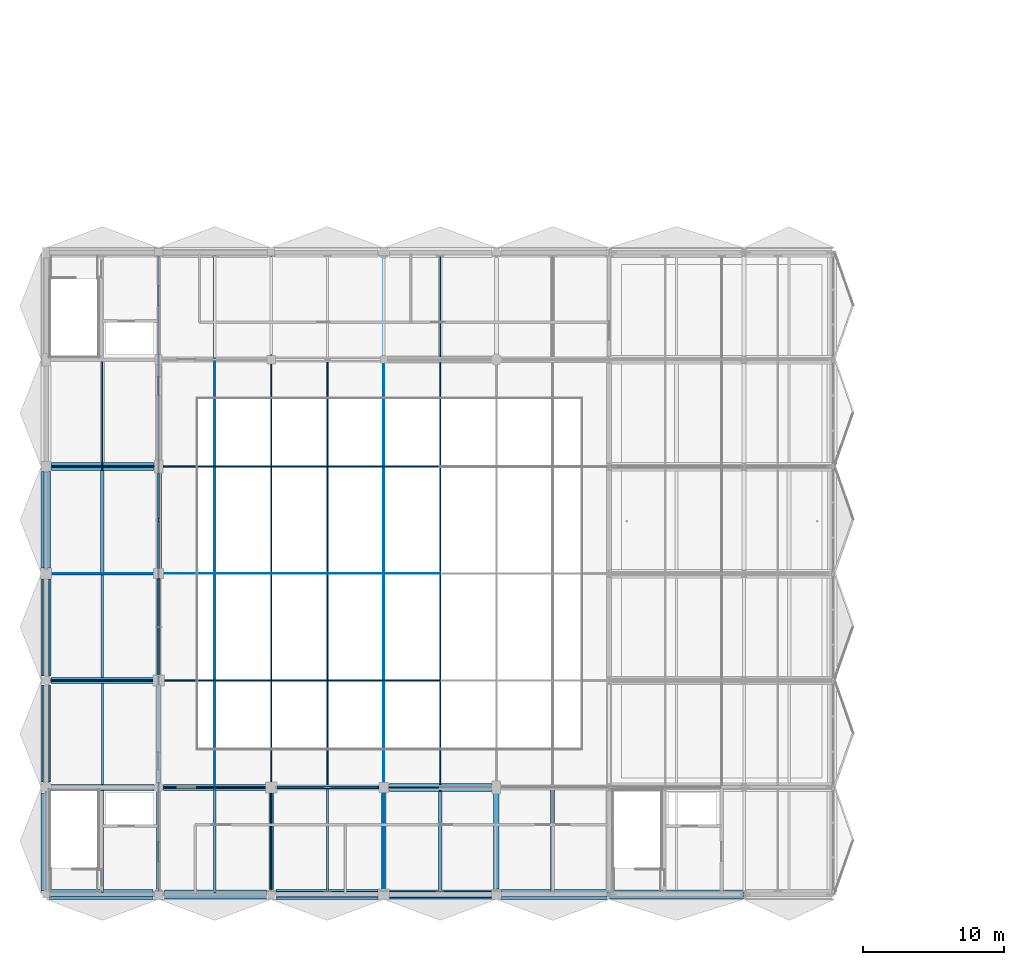
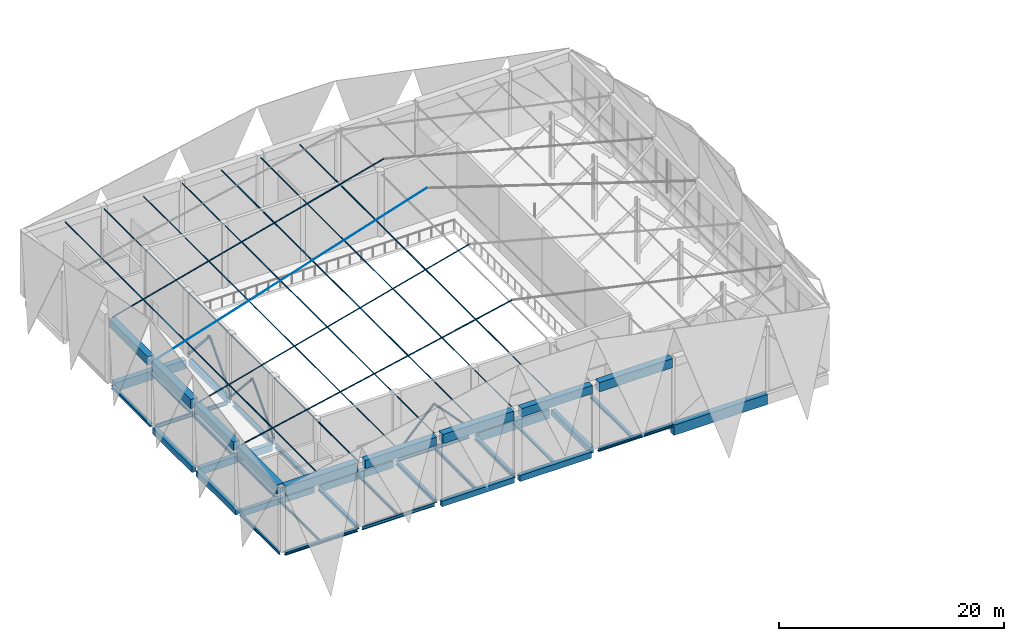
# One storey, part 5 of 46: 41 beams, 17 members.
"""IFC4 building model written with IfcOpenShell, lengths in metres."""

from ifc_helpers import new_model, si_unit, direction, frame, origin, origin_2d, place, context, subcontext, project, spatial, rectangle, hollow_rectangle, circle, hollow_circle, i_section, extrude, material, material_profile, profile_set, type_object, element, save


model = new_model("IFC4")

# Units and contexts
model_context = context("Model", 3, precision=1e-05, world=origin(), true_north=direction((0.0, 1.0)))
body_context = subcontext(model_context, "Body", "Model", "MODEL_VIEW")
ifc_project = project(units=[si_unit("LENGTHUNIT", "METRE"), si_unit("AREAUNIT", "SQUARE_METRE"), si_unit("VOLUMEUNIT", "CUBIC_METRE"), si_unit("PLANEANGLEUNIT", "RADIAN"), si_unit("MASSUNIT", "GRAM", prefix="KILO")], contexts=[model_context])

# Site, building, storey
site_placement = place(None, origin())
site = spatial("IfcSite", under=ifc_project, at=site_placement, CompositionType="ELEMENT")
building_placement = place(site_placement, origin())
building = spatial("IfcBuilding", under=site, at=building_placement, Name="Khelvaren Railside Concert Hall", CompositionType="ELEMENT")
storey_placement = place(building_placement, frame((0.0, 0.0, 19.800048828125)))
storey = spatial("IfcBuildingStorey", under=building, at=storey_placement, Name="L04", CompositionType="ELEMENT", Elevation=19.800048828125)

# Beams
ifc_material_1 = material(Name="Steel S355", Category="steel")
ifc_material_profile_1 = material_profile(ifc_material_1, i_section(OverallWidth=0.300048828125, OverallDepth=0.389892578125, WebThickness=0.010986328125, FlangeThickness=0.01904296875, FilletRadius=0.027099609375, at=origin_2d()), Name="HEA 400")
ifc_profile_set_1 = profile_set([ifc_material_profile_1], Name="Steel S355")
beam_type_1 = type_object("IfcBeamType", Name="BM23", PredefinedType="BEAM", material=ifc_profile_set_1)
for number, where, z_axis, x_axis, name in (
    (1, (8.0, 7.93603515625, -0.465087890625), (0.0, 1.0, 0.0), (-1.0, 0.0, 0.0), "V1 L04 Beam Y2.2"),
    (2, (16.0, 0.3359375, -0.465087890625), (0.0, 1.0, 0.0), (-1.0, 0.0, 0.0), "V1 L04 Beam Y3.1"),
):
    element("IfcBeam", number, at=place(storey_placement, frame(where, z_axis=z_axis, x_axis=x_axis)), inside=storey, type_object=beam_type_1, Name=name, PredefinedType="BEAM", context=body_context, shape_type="SweptSolid", body=[
        extrude(i_section(OverallWidth=0.300048828125, OverallDepth=0.389892578125, WebThickness=0.010986328125, FlangeThickness=0.01904296875, FilletRadius=0.027099609375, at=origin_2d()), origin(), (0.0, 0.0, 1.0), 6.990966796875),
    ])
ifc_material_profile_2 = material_profile(ifc_material_1, i_section(OverallWidth=0.179931640625, OverallDepth=0.39990234375, WebThickness=0.008544921875, FlangeThickness=0.013427734375, FilletRadius=0.02099609375, at=origin_2d()), Name="IPE 400")
ifc_profile_set_2 = profile_set([ifc_material_profile_2], Name="Steel S355")
beam_type_2 = type_object("IfcBeamType", Name="BM29", PredefinedType="BEAM", material=ifc_profile_set_2)
for number, where, z_axis, x_axis, name in (
    (3, (16.27294921875, 7.60009765625, -0.469970703125), (1.0, 0.0, 0.0), (0.0, 1.0, 0.0), "V1 L04 Beam X2.3"),
    (4, (0.27294921875, 22.800048828125, -0.469970703125), (1.0, 0.0, 0.0), (0.0, 1.0, 0.0), "V1 L04 Beam X4.1"),
):
    element("IfcBeam", number, at=place(storey_placement, frame(where, z_axis=z_axis, x_axis=x_axis)), inside=storey, type_object=beam_type_2, Name=name, PredefinedType="BEAM", context=body_context, shape_type="SweptSolid", body=[
        extrude(i_section(OverallWidth=0.179931640625, OverallDepth=0.39990234375, WebThickness=0.008544921875, FlangeThickness=0.013427734375, FilletRadius=0.02099609375, at=origin_2d()), origin(), (0.0, 0.0, 1.0), 7.3271484375),
    ])
ifc_material_2 = material(Name="Concrete C40/50", Category="concrete")
ifc_material_profile_3 = material_profile(ifc_material_2, rectangle(XDim=0.39990234375, YDim=0.64990234375, at=origin_2d()), Name="RCB 400x650")
ifc_profile_set_3 = profile_set([ifc_material_profile_3], Name="Concrete C40/50")
beam_type_3 = type_object("IfcBeamType", Name="BM33", PredefinedType="BEAM", material=ifc_profile_set_3)
beam_1_placement = place(storey_placement, frame((0.25, 7.60009765625, -0.594970703125), z_axis=(1.0, 0.0, 0.0), x_axis=(0.0, 1.0, 0.0)))
element("IfcBeam", 5, at=beam_1_placement, inside=storey, type_object=beam_type_3, Name="V1 L04 Beam X2.1", PredefinedType="BEAM", context=body_context, shape_type="SweptSolid", body=[
    extrude(rectangle(XDim=0.39990234375, YDim=0.64990234375, at=origin_2d()), origin(), (0.0, 0.0, 1.0), 7.4140625),
])
for number, where, z_axis, x_axis, name in (
    (6, (8.0, 23.199951171875, -0.594970703125), (0.0, 1.0, 0.0), (-1.0, 0.0, 0.0), "V1 L04 Beam Y2.4"),
    (7, (32.0, 0.39990234375, -0.594970703125), (0.0, 1.0, 0.0), (-1.0, 0.0, 0.0), "V1 L04 Beam Y5.1"),
):
    element("IfcBeam", number, at=place(storey_placement, frame(where, z_axis=z_axis, x_axis=x_axis)), inside=storey, type_object=beam_type_3, Name=name, PredefinedType="BEAM", context=body_context, shape_type="SweptSolid", body=[
        extrude(rectangle(XDim=0.39990234375, YDim=0.64990234375, at=origin_2d()), origin(), (0.0, 0.0, 1.0), 6.85009765625),
    ])
ifc_material_profile_4 = material_profile(ifc_material_1, i_section(OverallWidth=0.300048828125, OverallDepth=0.35009765625, WebThickness=0.010009765625, FlangeThickness=0.017578125, FilletRadius=0.027099609375, at=origin_2d()), Name="HEA 360")
ifc_profile_set_4 = profile_set([ifc_material_profile_4], Name="Steel S355")
beam_type_4 = type_object("IfcBeamType", Name="BM73", PredefinedType="BEAM", material=ifc_profile_set_4)
beam_2_placement = place(storey_placement, frame((8.0, 0.25, -0.445068359375), z_axis=(0.0, 1.0, 0.0), x_axis=(-1.0, 0.0, 0.0)))
element("IfcBeam", 8, at=beam_2_placement, inside=storey, type_object=beam_type_4, Name="V1 L04 Beam Y2.1", PredefinedType="BEAM", context=body_context, shape_type="SweptSolid", body=[
    extrude(i_section(OverallWidth=0.300048828125, OverallDepth=0.35009765625, WebThickness=0.010009765625, FlangeThickness=0.017578125, FilletRadius=0.027099609375, at=origin_2d()), origin(), (0.0, 0.0, 1.0), 7.013916015625),
])
ifc_material_profile_5 = material_profile(ifc_material_2, rectangle(XDim=0.449951171875, YDim=0.75, at=origin_2d()), Name="RCB 450x750")
ifc_profile_set_5 = profile_set([ifc_material_profile_5], Name="Concrete C40/50")
beam_type_5 = type_object("IfcBeamType", Name="BM83", PredefinedType="BEAM", material=ifc_profile_set_5)
for number, where, z_axis, x_axis, name in (
    (9, (8.3359375, 7.60009765625, -0.64501953125), (1.0, 0.0, 0.0), (0.0, 1.0, 0.0), "V1 L04 Beam X2.2"),
    (10, (0.3359375, 15.199951171875, -0.64501953125), (1.0, 0.0, 0.0), (0.0, 1.0, 0.0), "V1 L04 Beam X3.1"),
):
    element("IfcBeam", number, at=place(storey_placement, frame(where, z_axis=z_axis, x_axis=x_axis)), inside=storey, type_object=beam_type_5, Name=name, PredefinedType="BEAM", context=body_context, shape_type="SweptSolid", body=[
        extrude(rectangle(XDim=0.449951171875, YDim=0.75, at=origin_2d()), origin(), (0.0, 0.0, 1.0), 7.39111328125),
    ])
ifc_material_profile_6 = material_profile(ifc_material_1, i_section(OverallWidth=0.300048828125, OverallDepth=0.43994140625, WebThickness=0.011474609375, FlangeThickness=0.02099609375, FilletRadius=0.027099609375, at=origin_2d()), Name="HEA 450")
ifc_profile_set_6 = profile_set([ifc_material_profile_6], Name="Steel S355")
beam_type_6 = type_object("IfcBeamType", Name="BM89", PredefinedType="BEAM", material=ifc_profile_set_6)
for number, where, z_axis, x_axis, name in (
    (11, (8.0, 15.472900390625, -0.489990234375), (0.0, 1.0, 0.0), (-1.0, 0.0, 0.0), "V1 L04 Beam Y2.3"),
    (12, (24.0, 0.27294921875, -0.489990234375), (0.0, 1.0, 0.0), (-1.0, 0.0, 0.0), "V1 L04 Beam Y4.1"),
):
    element("IfcBeam", number, at=place(storey_placement, frame(where, z_axis=z_axis, x_axis=x_axis)), inside=storey, type_object=beam_type_6, Name=name, PredefinedType="BEAM", context=body_context, shape_type="SweptSolid", body=[
        extrude(i_section(OverallWidth=0.300048828125, OverallDepth=0.43994140625, WebThickness=0.011474609375, FlangeThickness=0.02099609375, FilletRadius=0.027099609375, at=origin_2d()), origin(), (0.0, 0.0, 1.0), 6.927001953125),
    ])

# Members
ifc_material_profile_7 = material_profile(ifc_material_1, hollow_circle(Radius=0.109619140625, WallThickness=0.012451171875, at=origin_2d()), Name="CHS 219.1x12.5")
ifc_profile_set_7 = profile_set([ifc_material_profile_7], Name="Steel S355")
member_type_1 = type_object("IfcMemberType", Name="BR37", PredefinedType="BRACE", material=ifc_profile_set_7)
for number, where, z_axis, x_axis, name in (
    (13, (8.0, 15.199951171875, 0.050048828125), (0.0, 0.667416311348, 0.74468481074), (-1.0, 0.0, 0.0), "V1 L04 Seismic Chevron Brace 9"),
    (14, (8.0, 22.800048828125, 0.050048828125), (0.0, -0.667416311348, 0.74468481074), (1.0, 0.0, 0.0), "V1 L04 Seismic Chevron Brace 10"),
):
    element("IfcMember", number, at=place(storey_placement, frame(where, z_axis=z_axis, x_axis=x_axis)), inside=storey, type_object=member_type_1, Name=name, PredefinedType="BRACE", context=body_context, shape_type="SweptSolid", body=[
        extrude(hollow_circle(Radius=0.109619140625, WallThickness=0.012451171875, at=origin_2d()), origin(), (0.0, 0.0, 1.0), 5.693603515625),
    ])
for number, where, z_axis, x_axis, name in (
    (15, (16.0, 7.60009765625, 0.050048828125), (0.686221263148, 0.0, 0.727392863592), (0.0, 1.0, 0.0), "V1 L04 Seismic Chevron Brace 29"),
    (16, (24.0, 7.60009765625, 0.050048828125), (-0.686221263148, 0.0, 0.727392863592), (0.0, -1.0, 0.0), "V1 L04 Seismic Chevron Brace 30"),
):
    element("IfcMember", number, at=place(storey_placement, frame(where, z_axis=z_axis, x_axis=x_axis)), inside=storey, type_object=member_type_1, Name=name, PredefinedType="BRACE", context=body_context, shape_type="SweptSolid", body=[
        extrude(hollow_circle(Radius=0.109619140625, WallThickness=0.012451171875, at=origin_2d()), origin(), (0.0, 0.0, 1.0), 5.8291015625),
    ])
ifc_material_profile_8 = material_profile(ifc_material_1, hollow_rectangle(XDim=0.14990234375, YDim=0.25, WallThickness=0.012451171875, InnerFilletRadius=0.012451171875, OuterFilletRadius=0.01904296875, at=origin_2d()), Name="RHS 250x150x12.5")
ifc_profile_set_8 = profile_set([ifc_material_profile_8], Name="Steel S355")
member_type_2 = type_object("IfcMemberType", Name="BR52", PredefinedType="BRACE", material=ifc_profile_set_8)
for number, where, z_axis, x_axis, name in (
    (17, (8.0, 22.800048828125, 0.050048828125), (0.0, 0.667416311348, 0.74468481074), (-1.0, 0.0, 0.0), "V1 L04 Seismic Chevron Brace 19"),
    (18, (8.0, 30.39990234375, 0.050048828125), (0.0, -0.667392531376, 0.744706122617), (1.0, 0.0, 0.0), "V1 L04 Seismic Chevron Brace 20"),
):
    element("IfcMember", number, at=place(storey_placement, frame(where, z_axis=z_axis, x_axis=x_axis)), inside=storey, type_object=member_type_2, Name=name, PredefinedType="BRACE", context=body_context, shape_type="SweptSolid", body=[
        extrude(hollow_rectangle(XDim=0.14990234375, YDim=0.25, WallThickness=0.012451171875, InnerFilletRadius=0.012451171875, OuterFilletRadius=0.01904296875, at=origin_2d()), origin(), (0.0, 0.0, 1.0), 5.693603515625),
    ])

# Beams
ifc_material_profile_9 = material_profile(ifc_material_2, rectangle(XDim=0.60009765625, YDim=1.10009765625, at=origin_2d()), Name="RCB 600x1100")
ifc_profile_set_9 = profile_set([ifc_material_profile_9], Name="Concrete C40/50")
beam_type_7 = type_object("IfcBeamType", Name="GR15", PredefinedType="T_BEAM", material=ifc_profile_set_9)
beam_3_placement = place(storey_placement, frame((40.010009765625, 0.0, -0.820068359375), z_axis=(1.0, 0.0, 0.0), x_axis=(0.0, 1.0, 0.0)))
element("IfcBeam", 19, at=beam_3_placement, inside=storey, type_object=beam_type_7, Name="V1 L04 Cantilever Backspan Girder 1", PredefinedType="T_BEAM", context=body_context, shape_type="SweptSolid", body=[
    extrude(rectangle(XDim=0.60009765625, YDim=1.10009765625, at=origin_2d()), origin(), (0.0, 0.0, 1.0), 9.580078125),
])
ifc_material_profile_10 = material_profile(ifc_material_2, rectangle(XDim=0.550048828125, YDim=0.949951171875, at=origin_2d()), Name="RCB 550x950")
ifc_profile_set_10 = profile_set([ifc_material_profile_10], Name="Concrete C40/50")
beam_type_8 = type_object("IfcBeamType", Name="GR57", PredefinedType="T_BEAM", material=ifc_profile_set_10)
for number, where, z_axis, x_axis, name in (
    (20, (24.39990234375, 7.60009765625, -0.7451171875), (1.0, 0.0, 0.0), (0.0, 1.0, 0.0), "V1 L04 T_Beam X2.4"),
    (21, (0.39990234375, 30.39990234375, -0.7451171875), (1.0, 0.0, 0.0), (0.0, 1.0, 0.0), "V1 L04 T_Beam X5.1"),
):
    element("IfcBeam", number, at=place(storey_placement, frame(where, z_axis=z_axis, x_axis=x_axis)), inside=storey, type_object=beam_type_8, Name=name, PredefinedType="T_BEAM", context=body_context, shape_type="SweptSolid", body=[
        extrude(rectangle(XDim=0.550048828125, YDim=0.949951171875, at=origin_2d()), origin(), (0.0, 0.0, 1.0), 7.25),
    ])
ifc_material_profile_11 = material_profile(ifc_material_1, i_section(OverallWidth=0.14990234375, OverallDepth=0.300048828125, WebThickness=0.007080078125, FlangeThickness=0.0107421875, FilletRadius=0.014892578125, at=origin_2d()), Name="IPE 300")
ifc_profile_set_11 = profile_set([ifc_material_profile_11], Name="Steel S355")
beam_type_9 = type_object("IfcBeamType", Name="JS26", PredefinedType="JOIST", material=ifc_profile_set_11)
beam_4_placement = place(storey_placement, frame((4.0, 7.800048828125, -0.420166015625), z_axis=(0.0, 1.0, 0.0), x_axis=(-1.0, 0.0, 0.0)))
element("IfcBeam", 22, at=beam_4_placement, inside=storey, type_object=beam_type_9, Name="V1 L04 Secondary Joist 1.2", PredefinedType="JOIST", context=body_context, shape_type="SweptSolid", body=[
    extrude(i_section(OverallWidth=0.14990234375, OverallDepth=0.300048828125, WebThickness=0.007080078125, FlangeThickness=0.0107421875, FilletRadius=0.014892578125, at=origin_2d()), origin(), (0.0, 0.0, 1.0), 7.175048828125),
])
beam_5_placement = place(storey_placement, frame((12.0, 0.0849609375, -0.420166015625), z_axis=(0.0, 1.0, 0.0), x_axis=(-1.0, 0.0, 0.0)))
element("IfcBeam", 23, at=beam_5_placement, inside=storey, type_object=beam_type_9, Name="V1 L04 Secondary Joist 2.1", PredefinedType="JOIST", context=body_context, shape_type="SweptSolid", body=[
    extrude(i_section(OverallWidth=0.14990234375, OverallDepth=0.300048828125, WebThickness=0.007080078125, FlangeThickness=0.0107421875, FilletRadius=0.014892578125, at=origin_2d()), origin(), (0.0, 0.0, 1.0), 7.2900390625),
])
ifc_material_profile_12 = material_profile(ifc_material_1, i_section(OverallWidth=0.280029296875, OverallDepth=0.27001953125, WebThickness=0.008056640625, FlangeThickness=0.012939453125, FilletRadius=0.02392578125, at=origin_2d()), Name="HEA 280")
ifc_profile_set_12 = profile_set([ifc_material_profile_12], Name="Steel S355")
beam_type_10 = type_object("IfcBeamType", Name="JS46", PredefinedType="JOIST", material=ifc_profile_set_12)
beam_6_placement = place(storey_placement, frame((36.0, 0.14990234375, -0.405029296875), z_axis=(0.0, 1.0, 0.0), x_axis=(-1.0, 0.0, 0.0)))
element("IfcBeam", 24, at=beam_6_placement, inside=storey, type_object=beam_type_10, Name="V1 L04 Secondary Joist 5.1", PredefinedType="JOIST", context=body_context, shape_type="SweptSolid", body=[
    extrude(i_section(OverallWidth=0.280029296875, OverallDepth=0.27001953125, WebThickness=0.008056640625, FlangeThickness=0.012939453125, FilletRadius=0.02392578125, at=origin_2d()), origin(), (0.0, 0.0, 1.0), 7.35009765625),
])
ifc_material_profile_13 = material_profile(ifc_material_1, i_section(OverallWidth=0.159912109375, OverallDepth=0.330078125, WebThickness=0.007568359375, FlangeThickness=0.011474609375, FilletRadius=0.01806640625, at=origin_2d()), Name="IPE 330")
ifc_profile_set_13 = profile_set([ifc_material_profile_13], Name="Steel S355")
beam_type_11 = type_object("IfcBeamType", Name="JS65", PredefinedType="JOIST", material=ifc_profile_set_13)
beam_7_placement = place(storey_placement, frame((4.0, 15.425048828125, -0.43505859375), z_axis=(0.0, 1.0, 0.0), x_axis=(-1.0, 0.0, 0.0)))
element("IfcBeam", 25, at=beam_7_placement, inside=storey, type_object=beam_type_11, Name="V1 L04 Secondary Joist 1.3", PredefinedType="JOIST", context=body_context, shape_type="SweptSolid", body=[
    extrude(i_section(OverallWidth=0.159912109375, OverallDepth=0.330078125, WebThickness=0.007568359375, FlangeThickness=0.011474609375, FilletRadius=0.01806640625, at=origin_2d()), origin(), (0.0, 0.0, 1.0), 7.284912109375),
])
beam_8_placement = place(storey_placement, frame((20.0, 0.199951171875, -0.43505859375), z_axis=(0.0, 1.0, 0.0), x_axis=(-1.0, 0.0, 0.0)))
element("IfcBeam", 26, at=beam_8_placement, inside=storey, type_object=beam_type_11, Name="V1 L04 Secondary Joist 3.1", PredefinedType="JOIST", context=body_context, shape_type="SweptSolid", body=[
    extrude(i_section(OverallWidth=0.159912109375, OverallDepth=0.330078125, WebThickness=0.007568359375, FlangeThickness=0.011474609375, FilletRadius=0.01806640625, at=origin_2d()), origin(), (0.0, 0.0, 1.0), 7.31005859375),
])
ifc_material_profile_14 = material_profile(ifc_material_1, i_section(OverallWidth=0.239990234375, OverallDepth=0.22998046875, WebThickness=0.007568359375, FlangeThickness=0.011962890625, FilletRadius=0.02099609375, at=origin_2d()), Name="HEA 240")
ifc_profile_set_14 = profile_set([ifc_material_profile_14], Name="Steel S355")
beam_type_12 = type_object("IfcBeamType", Name="JS76", PredefinedType="JOIST", material=ifc_profile_set_14)
beam_9_placement = place(storey_placement, frame((4.0, 22.889892578125, -0.385009765625), z_axis=(0.0, 1.0, 0.0), x_axis=(-1.0, 0.0, 0.0)))
element("IfcBeam", 27, at=beam_9_placement, inside=storey, type_object=beam_type_12, Name="V1 L04 Secondary Joist 1.4", PredefinedType="JOIST", context=body_context, shape_type="SweptSolid", body=[
    extrude(i_section(OverallWidth=0.239990234375, OverallDepth=0.22998046875, WebThickness=0.007568359375, FlangeThickness=0.011962890625, FilletRadius=0.02099609375, at=origin_2d()), origin(), (0.0, 0.0, 1.0), 7.235107421875),
])
beam_10_placement = place(storey_placement, frame((28.0, 0.22509765625, -0.385009765625), z_axis=(0.0, 1.0, 0.0), x_axis=(-1.0, 0.0, 0.0)))
element("IfcBeam", 28, at=beam_10_placement, inside=storey, type_object=beam_type_12, Name="V1 L04 Secondary Joist 4.1", PredefinedType="JOIST", context=body_context, shape_type="SweptSolid", body=[
    extrude(i_section(OverallWidth=0.239990234375, OverallDepth=0.22998046875, WebThickness=0.007568359375, FlangeThickness=0.011962890625, FilletRadius=0.02099609375, at=origin_2d()), origin(), (0.0, 0.0, 1.0), 7.099853515625),
])
ifc_material_profile_15 = material_profile(ifc_material_1, i_section(OverallWidth=0.135009765625, OverallDepth=0.27001953125, WebThickness=0.006591796875, FlangeThickness=0.01025390625, FilletRadius=0.014892578125, at=origin_2d()), Name="IPE 270")
ifc_profile_set_15 = profile_set([ifc_material_profile_15], Name="Steel S355")
beam_type_13 = type_object("IfcBeamType", Name="JS78", PredefinedType="JOIST", material=ifc_profile_set_15)
beam_11_placement = place(storey_placement, frame((4.0, 0.14990234375, -0.405029296875), z_axis=(0.0, 1.0, 0.0), x_axis=(-1.0, 0.0, 0.0)))
element("IfcBeam", 29, at=beam_11_placement, inside=storey, type_object=beam_type_13, Name="V1 L04 Secondary Joist 1.1", PredefinedType="JOIST", context=body_context, shape_type="SweptSolid", body=[
    extrude(i_section(OverallWidth=0.135009765625, OverallDepth=0.27001953125, WebThickness=0.006591796875, FlangeThickness=0.01025390625, FilletRadius=0.014892578125, at=origin_2d()), origin(), (0.0, 0.0, 1.0), 7.25),
])
ifc_material_profile_16 = material_profile(ifc_material_2, rectangle(XDim=0.699951171875, YDim=1.0, at=origin_2d()), Name="RCB 700x1000")
ifc_profile_set_16 = profile_set([ifc_material_profile_16], Name="Concrete C40/50")
beam_type_14 = type_object("IfcBeamType", Name="RB80", PredefinedType="USERDEFINED", material=ifc_profile_set_16)
beam_12_placement = place(storey_placement, frame((0.25, 0.0, 6.550048828125), z_axis=(1.0, 0.0, 0.0), x_axis=(0.0, 1.0, 0.0)))
element("IfcBeam", 30, at=beam_12_placement, inside=storey, type_object=beam_type_14, Name="Main Hall Compression Ring Beam 1", ObjectType="RING BEAM", PredefinedType="USERDEFINED", context=body_context, shape_type="SweptSolid", body=[
    extrude(rectangle(XDim=0.699951171875, YDim=1.0, at=origin_2d()), origin(), (0.0, 0.0, 1.0), 7.35009765625),
])
beam_13_placement = place(storey_placement, frame((16.324951171875, 0.0, 6.550048828125), z_axis=(1.0, 0.0, 0.0), x_axis=(0.0, 1.0, 0.0)))
element("IfcBeam", 31, at=beam_13_placement, inside=storey, type_object=beam_type_14, Name="Main Hall Compression Ring Beam 3", ObjectType="RING BEAM", PredefinedType="USERDEFINED", context=body_context, shape_type="SweptSolid", body=[
    extrude(rectangle(XDim=0.699951171875, YDim=1.0, at=origin_2d()), origin(), (0.0, 0.0, 1.0), 7.275146484375),
])
beam_14_placement = place(storey_placement, frame((32.35009765625, 0.0, 6.550048828125), z_axis=(1.0, 0.0, 0.0), x_axis=(0.0, 1.0, 0.0)))
element("IfcBeam", 32, at=beam_14_placement, inside=storey, type_object=beam_type_14, Name="Main Hall Compression Ring Beam 5", ObjectType="RING BEAM", PredefinedType="USERDEFINED", context=body_context, shape_type="SweptSolid", body=[
    extrude(rectangle(XDim=0.699951171875, YDim=1.0, at=origin_2d()), origin(), (0.0, 0.0, 1.0), 7.5),
])
beam_15_placement = place(storey_placement, frame((0.0, 0.25, 6.550048828125), z_axis=(0.0, 1.0, 0.0), x_axis=(-1.0, 0.0, 0.0)))
element("IfcBeam", 33, at=beam_15_placement, inside=storey, type_object=beam_type_14, Name="Main Hall Compression Ring Beam 15", ObjectType="RING BEAM", PredefinedType="USERDEFINED", context=body_context, shape_type="SweptSolid", body=[
    extrude(rectangle(XDim=0.699951171875, YDim=1.0, at=origin_2d()), origin(), (0.0, 0.0, 1.0), 6.949951171875),
])
beam_16_placement = place(storey_placement, frame((0.0, 15.52490234375, 6.550048828125), z_axis=(0.0, 1.0, 0.0), x_axis=(-1.0, 0.0, 0.0)))
element("IfcBeam", 34, at=beam_16_placement, inside=storey, type_object=beam_type_14, Name="Main Hall Compression Ring Beam 17", ObjectType="RING BEAM", PredefinedType="USERDEFINED", context=body_context, shape_type="SweptSolid", body=[
    extrude(rectangle(XDim=0.699951171875, YDim=1.0, at=origin_2d()), origin(), (0.0, 0.0, 1.0), 6.875),
])
ifc_material_profile_17 = material_profile(ifc_material_2, rectangle(XDim=0.64990234375, YDim=0.89990234375, at=origin_2d()), Name="RCB 650x900")
ifc_profile_set_17 = profile_set([ifc_material_profile_17], Name="Concrete C40/50")
beam_type_15 = type_object("IfcBeamType", Name="RB88", PredefinedType="USERDEFINED", material=ifc_profile_set_17)
beam_17_placement = place(storey_placement, frame((8.39990234375, 0.0, 6.550048828125), z_axis=(1.0, 0.0, 0.0), x_axis=(0.0, 1.0, 0.0)))
element("IfcBeam", 35, at=beam_17_placement, inside=storey, type_object=beam_type_15, Name="Main Hall Compression Ring Beam 2", ObjectType="RING BEAM", PredefinedType="USERDEFINED", context=body_context, shape_type="SweptSolid", body=[
    extrude(rectangle(XDim=0.64990234375, YDim=0.89990234375, at=origin_2d()), origin(), (0.0, 0.0, 1.0), 7.275146484375),
])
beam_18_placement = place(storey_placement, frame((24.39990234375, 0.0, 6.550048828125), z_axis=(1.0, 0.0, 0.0), x_axis=(0.0, 1.0, 0.0)))
element("IfcBeam", 36, at=beam_18_placement, inside=storey, type_object=beam_type_15, Name="Main Hall Compression Ring Beam 4", ObjectType="RING BEAM", PredefinedType="USERDEFINED", context=body_context, shape_type="SweptSolid", body=[
    extrude(rectangle(XDim=0.64990234375, YDim=0.89990234375, at=origin_2d()), origin(), (0.0, 0.0, 1.0), 7.25),
])
beam_19_placement = place(storey_placement, frame((0.0, 8.0, 6.550048828125), z_axis=(0.0, 1.0, 0.0), x_axis=(-1.0, 0.0, 0.0)))
element("IfcBeam", 37, at=beam_19_placement, inside=storey, type_object=beam_type_15, Name="Main Hall Compression Ring Beam 16", ObjectType="RING BEAM", PredefinedType="USERDEFINED", context=body_context, shape_type="SweptSolid", body=[
    extrude(rectangle(XDim=0.64990234375, YDim=0.89990234375, at=origin_2d()), origin(), (0.0, 0.0, 1.0), 6.875),
])
beam_20_placement = place(storey_placement, frame((0.0, 23.199951171875, 6.550048828125), z_axis=(0.0, 1.0, 0.0), x_axis=(-1.0, 0.0, 0.0)))
element("IfcBeam", 38, at=beam_20_placement, inside=storey, type_object=beam_type_15, Name="Main Hall Compression Ring Beam 18", ObjectType="RING BEAM", PredefinedType="USERDEFINED", context=body_context, shape_type="SweptSolid", body=[
    extrude(rectangle(XDim=0.64990234375, YDim=0.89990234375, at=origin_2d()), origin(), (0.0, 0.0, 1.0), 6.85009765625),
])
ifc_material_profile_18 = material_profile(ifc_material_2, rectangle(XDim=0.449951171875, YDim=0.64990234375, at=origin_2d()), Name="RCB 450x650")
ifc_profile_set_18 = profile_set([ifc_material_profile_18], Name="Concrete C40/50")
beam_type_16 = type_object("IfcBeamType", Name="SP34", PredefinedType="SPANDREL", material=ifc_profile_set_18)
beam_21_placement = place(storey_placement, frame((24.27294921875, 0.0, -0.594970703125), z_axis=(1.0, 0.0, 0.0), x_axis=(0.0, 1.0, 0.0)))
element("IfcBeam", 39, at=beam_21_placement, inside=storey, type_object=beam_type_16, Name="V1 L04 Spandrel X1.4", PredefinedType="SPANDREL", context=body_context, shape_type="SweptSolid", body=[
    extrude(rectangle(XDim=0.449951171875, YDim=0.64990234375, at=origin_2d()), origin(), (0.0, 0.0, 1.0), 7.3271484375),
])
beam_22_placement = place(storey_placement, frame((0.0, 15.535888671875, -0.594970703125), z_axis=(0.0, 1.0, 0.0), x_axis=(-1.0, 0.0, 0.0)))
element("IfcBeam", 40, at=beam_22_placement, inside=storey, type_object=beam_type_16, Name="V1 L04 Spandrel Y1.3", PredefinedType="SPANDREL", context=body_context, shape_type="SweptSolid", body=[
    extrude(rectangle(XDim=0.449951171875, YDim=0.64990234375, at=origin_2d()), origin(), (0.0, 0.0, 1.0), 6.9912109375),
])
ifc_material_profile_19 = material_profile(ifc_material_1, i_section(OverallWidth=0.300048828125, OverallDepth=0.31005859375, WebThickness=0.009033203125, FlangeThickness=0.015380859375, FilletRadius=0.027099609375, at=origin_2d()), Name="HEA 320")
ifc_profile_set_19 = profile_set([ifc_material_profile_19], Name="Steel S355")
beam_type_17 = type_object("IfcBeamType", Name="SP66", PredefinedType="SPANDREL", material=ifc_profile_set_19)
beam_23_placement = place(storey_placement, frame((0.300048828125, 0.0, -0.425048828125), z_axis=(1.0, 0.0, 0.0), x_axis=(0.0, 1.0, 0.0)))
element("IfcBeam", 41, at=beam_23_placement, inside=storey, type_object=beam_type_17, Name="V1 L04 Spandrel X1.1", PredefinedType="SPANDREL", context=body_context, shape_type="SweptSolid", body=[
    extrude(i_section(OverallWidth=0.300048828125, OverallDepth=0.31005859375, WebThickness=0.009033203125, FlangeThickness=0.015380859375, FilletRadius=0.027099609375, at=origin_2d()), origin(), (0.0, 0.0, 1.0), 7.449951171875),
])
beam_24_placement = place(storey_placement, frame((32.39990234375, 0.0, -0.425048828125), z_axis=(1.0, 0.0, 0.0), x_axis=(0.0, 1.0, 0.0)))
element("IfcBeam", 42, at=beam_24_placement, inside=storey, type_object=beam_type_17, Name="V1 L04 Spandrel X1.5", PredefinedType="SPANDREL", context=body_context, shape_type="SweptSolid", body=[
    extrude(i_section(OverallWidth=0.300048828125, OverallDepth=0.31005859375, WebThickness=0.009033203125, FlangeThickness=0.015380859375, FilletRadius=0.027099609375, at=origin_2d()), origin(), (0.0, 0.0, 1.0), 7.590087890625),
])
beam_25_placement = place(storey_placement, frame((0.0, 23.072998046875, -0.425048828125), z_axis=(0.0, 1.0, 0.0), x_axis=(-1.0, 0.0, 0.0)))
element("IfcBeam", 43, at=beam_25_placement, inside=storey, type_object=beam_type_17, Name="V1 L04 Spandrel Y1.4", PredefinedType="SPANDREL", context=body_context, shape_type="SweptSolid", body=[
    extrude(i_section(OverallWidth=0.300048828125, OverallDepth=0.31005859375, WebThickness=0.009033203125, FlangeThickness=0.015380859375, FilletRadius=0.027099609375, at=origin_2d()), origin(), (0.0, 0.0, 1.0), 6.927001953125),
])
ifc_material_profile_20 = material_profile(ifc_material_1, i_section(OverallWidth=0.169921875, OverallDepth=0.360107421875, WebThickness=0.008056640625, FlangeThickness=0.0126953125, FilletRadius=0.01806640625, at=origin_2d()), Name="IPE 360")
ifc_profile_set_20 = profile_set([ifc_material_profile_20], Name="Steel S355")
beam_type_18 = type_object("IfcBeamType", Name="SP74", PredefinedType="SPANDREL", material=ifc_profile_set_20)
beam_26_placement = place(storey_placement, frame((8.25, 0.0, -0.449951171875), z_axis=(1.0, 0.0, 0.0), x_axis=(0.0, 1.0, 0.0)))
element("IfcBeam", 44, at=beam_26_placement, inside=storey, type_object=beam_type_18, Name="V1 L04 Spandrel X1.2", PredefinedType="SPANDREL", context=body_context, shape_type="SweptSolid", body=[
    extrude(i_section(OverallWidth=0.169921875, OverallDepth=0.360107421875, WebThickness=0.008056640625, FlangeThickness=0.0126953125, FilletRadius=0.01806640625, at=origin_2d()), origin(), (0.0, 0.0, 1.0), 7.4140625),
])
beam_27_placement = place(storey_placement, frame((0.0, 0.300048828125, -0.449951171875), z_axis=(0.0, 1.0, 0.0), x_axis=(-1.0, 0.0, 0.0)))
element("IfcBeam", 45, at=beam_27_placement, inside=storey, type_object=beam_type_18, Name="V1 L04 Spandrel Y1.1", PredefinedType="SPANDREL", context=body_context, shape_type="SweptSolid", body=[
    extrude(i_section(OverallWidth=0.169921875, OverallDepth=0.360107421875, WebThickness=0.008056640625, FlangeThickness=0.0126953125, FilletRadius=0.01806640625, at=origin_2d()), origin(), (0.0, 0.0, 1.0), 7.050048828125),
])
ifc_material_profile_21 = material_profile(ifc_material_2, rectangle(XDim=0.39990234375, YDim=0.60009765625, at=origin_2d()), Name="RCB 400x600")
ifc_profile_set_21 = profile_set([ifc_material_profile_21], Name="Concrete C40/50")
beam_type_19 = type_object("IfcBeamType", Name="SP75", PredefinedType="SPANDREL", material=ifc_profile_set_21)
beam_28_placement = place(storey_placement, frame((16.3359375, 0.0, -0.570068359375), z_axis=(1.0, 0.0, 0.0), x_axis=(0.0, 1.0, 0.0)))
element("IfcBeam", 46, at=beam_28_placement, inside=storey, type_object=beam_type_19, Name="V1 L04 Spandrel X1.3", PredefinedType="SPANDREL", context=body_context, shape_type="SweptSolid", body=[
    extrude(rectangle(XDim=0.39990234375, YDim=0.60009765625, at=origin_2d()), origin(), (0.0, 0.0, 1.0), 7.39111328125),
])
beam_29_placement = place(storey_placement, frame((0.0, 7.85009765625, -0.570068359375), z_axis=(0.0, 1.0, 0.0), x_axis=(-1.0, 0.0, 0.0)))
element("IfcBeam", 47, at=beam_29_placement, inside=storey, type_object=beam_type_19, Name="V1 L04 Spandrel Y1.2", PredefinedType="SPANDREL", context=body_context, shape_type="SweptSolid", body=[
    extrude(rectangle(XDim=0.39990234375, YDim=0.60009765625, at=origin_2d()), origin(), (0.0, 0.0, 1.0), 7.013916015625),
])

# Members
ifc_material_3 = material(Name="High-strength steel cable S460", Category="steel")
ifc_material_profile_22 = material_profile(ifc_material_3, circle(Radius=0.047607421875, at=origin_2d()), Name="LCB D95")
ifc_profile_set_22 = profile_set([ifc_material_profile_22], Name="High-strength steel cable S460")
member_type_3 = type_object("IfcMemberType", Name="TC16", PredefinedType="USERDEFINED", material=ifc_profile_set_22)
for number, where, z_axis, x_axis, name in (
    (48, (8.0, 0.25, 6.699951171875), (0.0, 1.0, 0.0), (-1.0, 0.0, 0.0), "Main Hall Cable-Net Primary Tension Cable 2"),
    (49, (20.0, 0.25, 6.699951171875), (0.0, 1.0, 0.0), (-1.0, 0.0, 0.0), "Main Hall Cable-Net Primary Tension Cable 5"),
):
    element("IfcMember", number, at=place(storey_placement, frame(where, z_axis=z_axis, x_axis=x_axis)), inside=storey, type_object=member_type_3, Name=name, ObjectType="TENSION CABLE", PredefinedType="USERDEFINED", context=body_context, shape_type="SweptSolid", body=[
        extrude(circle(Radius=0.047607421875, at=origin_2d()), origin(), (0.0, 0.0, 1.0), 45.10009765625),
    ])
member_1_placement = place(storey_placement, frame((0.25, 7.60009765625, 6.75), z_axis=(0.977688729807, 0.0, 0.210058914613), x_axis=(0.0, 1.0, 0.0)))
element("IfcMember", 50, at=member_1_placement, inside=storey, type_object=member_type_3, Name="Main Hall Cable-Net Longitudinal Stay Cable 14", ObjectType="TENSION CABLE", PredefinedType="USERDEFINED", context=body_context, shape_type="SweptSolid", body=[
    extrude(circle(Radius=0.047607421875, at=origin_2d()), origin(), (0.0, 0.0, 1.0), 28.38330078125),
])
member_2_placement = place(storey_placement, frame((0.25, 30.39990234375, 6.75), z_axis=(0.9660959847, 0.0, 0.258183168209), x_axis=(0.0, 1.0, 0.0)))
element("IfcMember", 51, at=member_2_placement, inside=storey, type_object=member_type_3, Name="Main Hall Cable-Net Longitudinal Stay Cable 20", ObjectType="TENSION CABLE", PredefinedType="USERDEFINED", context=body_context, shape_type="SweptSolid", body=[
    extrude(circle(Radius=0.047607421875, at=origin_2d()), origin(), (0.0, 0.0, 1.0), 28.723876953125),
])
ifc_material_profile_23 = material_profile(ifc_material_3, circle(Radius=0.0400390625, at=origin_2d()), Name="LCB D80")
ifc_profile_set_23 = profile_set([ifc_material_profile_23], Name="High-strength steel cable S460")
member_type_4 = type_object("IfcMemberType", Name="TC51", PredefinedType="USERDEFINED", material=ifc_profile_set_23)
for number, where, z_axis, x_axis, name in (
    (52, (4.0, 0.25, 6.699951171875), (0.0, 1.0, 0.0), (-1.0, 0.0, 0.0), "Main Hall Cable-Net Primary Tension Cable 1"),
    (53, (16.0, 0.25, 6.699951171875), (0.0, 1.0, 0.0), (-1.0, 0.0, 0.0), "Main Hall Cable-Net Primary Tension Cable 4"),
    (54, (28.0, 0.25, 6.699951171875), (0.0, 1.0, 0.0), (-1.0, 0.0, 0.0), "Main Hall Cable-Net Primary Tension Cable 7"),
):
    element("IfcMember", number, at=place(storey_placement, frame(where, z_axis=z_axis, x_axis=x_axis)), inside=storey, type_object=member_type_4, Name=name, ObjectType="TENSION CABLE", PredefinedType="USERDEFINED", context=body_context, shape_type="SweptSolid", body=[
        extrude(circle(Radius=0.0400390625, at=origin_2d()), origin(), (0.0, 0.0, 1.0), 45.10009765625),
    ])
member_3_placement = place(storey_placement, frame((0.25, 15.199951171875, 6.75), z_axis=(0.9660959847, 0.0, 0.258183168209), x_axis=(0.0, 1.0, 0.0)))
element("IfcMember", 55, at=member_3_placement, inside=storey, type_object=member_type_4, Name="Main Hall Cable-Net Longitudinal Stay Cable 16", ObjectType="TENSION CABLE", PredefinedType="USERDEFINED", context=body_context, shape_type="SweptSolid", body=[
    extrude(circle(Radius=0.0400390625, at=origin_2d()), origin(), (0.0, 0.0, 1.0), 28.723876953125),
])
ifc_material_profile_24 = material_profile(ifc_material_3, circle(Radius=0.032470703125, at=origin_2d()), Name="LCB D65")
ifc_profile_set_24 = profile_set([ifc_material_profile_24], Name="High-strength steel cable S460")
member_type_5 = type_object("IfcMemberType", Name="TC89", PredefinedType="USERDEFINED", material=ifc_profile_set_24)
for number, where, z_axis, x_axis, name in (
    (56, (12.0, 0.25, 6.699951171875), (0.0, 1.0, 0.0), (-1.0, 0.0, 0.0), "Main Hall Cable-Net Primary Tension Cable 3"),
    (57, (24.0, 0.25, 6.699951171875), (0.0, 1.0, 0.0), (-1.0, 0.0, 0.0), "Main Hall Cable-Net Primary Tension Cable 6"),
):
    element("IfcMember", number, at=place(storey_placement, frame(where, z_axis=z_axis, x_axis=x_axis)), inside=storey, type_object=member_type_5, Name=name, ObjectType="TENSION CABLE", PredefinedType="USERDEFINED", context=body_context, shape_type="SweptSolid", body=[
        extrude(circle(Radius=0.032470703125, at=origin_2d()), origin(), (0.0, 0.0, 1.0), 45.10009765625),
    ])
member_4_placement = place(storey_placement, frame((0.25, 22.800048828125, 6.75), z_axis=(0.952524997744, 0.0, 0.304460389332), x_axis=(0.0, 1.0, 0.0)))
element("IfcMember", 58, at=member_4_placement, inside=storey, type_object=member_type_5, Name="Main Hall Cable-Net Longitudinal Stay Cable 18", ObjectType="TENSION CABLE", PredefinedType="USERDEFINED", context=body_context, shape_type="SweptSolid", body=[
    extrude(circle(Radius=0.032470703125, at=origin_2d()), origin(), (0.0, 0.0, 1.0), 29.133056640625),
])

save(model, "model.ifc")
